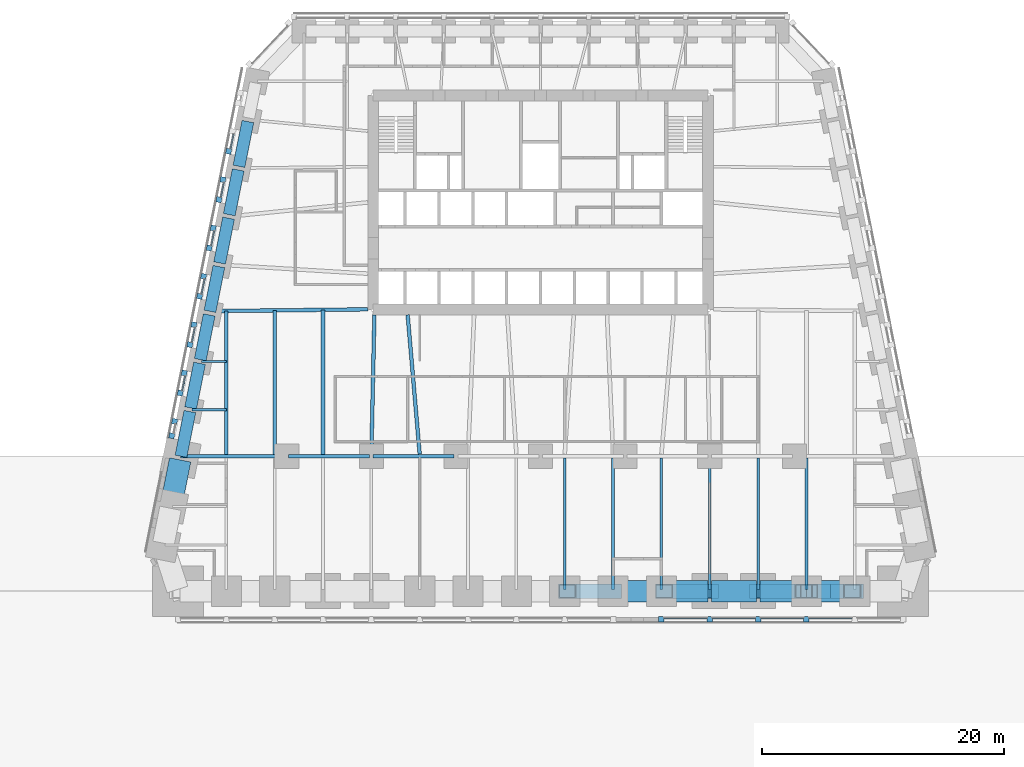
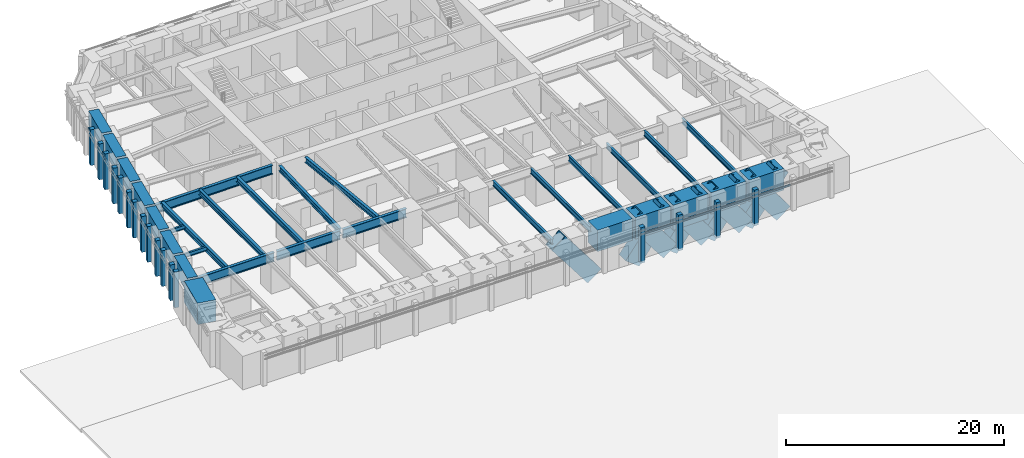
# One storey, part 2 of 18: 36 members, 30 beams, 8 elements without a shape of their own.
"""IFC4 building model written with IfcOpenShell, lengths in metres."""

from ifc_helpers import new_model, si_unit, direction, frame, origin, origin_2d, place, context, subcontext, project, spatial, rectangle, hollow_rectangle, i_section, extrude, material, material_profile, profile_set, type_object, element, aggregate, save


model = new_model("IFC4")

# Units and contexts
model_context = context("Model", 3, precision=1e-05, world=origin(), true_north=direction((0.0, 1.0)))
body_context = subcontext(model_context, "Body", "Model", "MODEL_VIEW")
ifc_project = project(units=[si_unit("LENGTHUNIT", "METRE"), si_unit("AREAUNIT", "SQUARE_METRE"), si_unit("VOLUMEUNIT", "CUBIC_METRE"), si_unit("PLANEANGLEUNIT", "RADIAN"), si_unit("MASSUNIT", "GRAM", prefix="KILO")], contexts=[model_context])

# Site, building, storey
site_placement = place(None, origin())
site = spatial("IfcSite", under=ifc_project, at=site_placement, CompositionType="ELEMENT")
building_placement = place(site_placement, origin())
building = spatial("IfcBuilding", under=site, at=building_placement, Name="Isbrekke Arena Tower", CompositionType="ELEMENT")
storey_placement = place(building_placement, frame((0.0, 0.0, 28.0)))
storey = spatial("IfcBuildingStorey", under=building, at=storey_placement, Name="L04", CompositionType="ELEMENT", Elevation=28.0)

# Beams
ifc_material_1 = material(Name="Steel S355", Category="steel")
ifc_material_profile_1 = material_profile(ifc_material_1, i_section(OverallWidth=0.219970703125, OverallDepth=0.60009765625, WebThickness=0.011962890625, FlangeThickness=0.01904296875, FilletRadius=0.02392578125, at=origin_2d()), Name="IPE 600")
ifc_profile_set_1 = profile_set([ifc_material_profile_1], Name="Steel S355")
beam_type_1 = type_object("IfcBeamType", Name="B1 IPE 600", PredefinedType="BEAM", material=ifc_profile_set_1)
for number, where, z_axis, x_axis, name in (
    (1, (2.0, -17.02490234375, 3.550048828125), (0.0, 1.0, 0.0), (-1.0, 0.0, 0.0), "B1 beam S-S09 L04"),
    (2, (6.0, -17.02490234375, 3.550048828125), (0.0, 1.0, 0.0), (-1.0, 0.0, 0.0), "B1 beam S-S10 L04"),
    (3, (10.0, -17.02490234375, 3.550048828125), (0.0, 1.0, 0.0), (-1.0, 0.0, 0.0), "B1 beam S-S11 L04"),
):
    element("IfcBeam", number, at=place(storey_placement, frame(where, z_axis=z_axis, x_axis=x_axis)), inside=storey, type_object=beam_type_1, Name=name, PredefinedType="BEAM", context=body_context, shape_type="SweptSolid", body=[
        extrude(i_section(OverallWidth=0.219970703125, OverallDepth=0.60009765625, WebThickness=0.011962890625, FlangeThickness=0.01904296875, FilletRadius=0.02392578125, at=origin_2d()), origin(), (0.0, 0.0, 1.0), 10.8740234375),
    ])
beam_1_placement = place(storey_placement, frame((14.0, -17.02490234375, 3.550048828125), z_axis=(0.0, 1.0, 0.0), x_axis=(-1.0, 0.0, 0.0)))
element("IfcBeam", 4, at=beam_1_placement, inside=storey, type_object=beam_type_1, Name="B1 beam S-S12 L04", PredefinedType="BEAM", context=body_context, shape_type="SweptSolid", body=[
    extrude(i_section(OverallWidth=0.219970703125, OverallDepth=0.60009765625, WebThickness=0.011962890625, FlangeThickness=0.01904296875, FilletRadius=0.02392578125, at=origin_2d()), origin(), (0.0, 0.0, 1.0), 10.875),
])
for number, where, z_axis, x_axis, name in (
    (5, (18.0, -17.02490234375, 3.550048828125), (0.0, 1.0, 0.0), (-1.0, 0.0, 0.0), "B1 beam S-S13 L04"),
    (6, (22.0, -17.02490234375, 3.550048828125), (0.0, 1.0, 0.0), (-1.0, 0.0, 0.0), "B1 beam S-S14 L04"),
):
    element("IfcBeam", number, at=place(storey_placement, frame(where, z_axis=z_axis, x_axis=x_axis)), inside=storey, type_object=beam_type_1, Name=name, PredefinedType="BEAM", context=body_context, shape_type="SweptSolid", body=[
        extrude(i_section(OverallWidth=0.219970703125, OverallDepth=0.60009765625, WebThickness=0.011962890625, FlangeThickness=0.01904296875, FilletRadius=0.02392578125, at=origin_2d()), origin(), (0.0, 0.0, 1.0), 10.8740234375),
    ])
ifc_material_2 = material(Name="Steel S355", Category="steel")
ifc_material_profile_2 = material_profile(ifc_material_2, i_section(OverallWidth=0.18994140625, OverallDepth=0.449951171875, WebThickness=0.009521484375, FlangeThickness=0.0146484375, FilletRadius=0.02099609375, at=origin_2d()), Name="IPE 450")
ifc_profile_set_2 = profile_set([ifc_material_profile_2], Name="Steel S355")
beam_type_2 = type_object("IfcBeamType", Name="B2 IPE 450", PredefinedType="BEAM", material=ifc_profile_set_2)
beam_2_placement = place(storey_placement, frame((-28.041015625, 1.838134765625, 3.625), z_axis=(1.0, 0.0, 0.0), x_axis=(0.0, 1.0, 0.0)))
element("IfcBeam", 7, at=beam_2_placement, inside=storey, type_object=beam_type_2, Name="B2 beam E-W07 L04", PredefinedType="BEAM", context=body_context, shape_type="SweptSolid", body=[
    extrude(i_section(OverallWidth=0.18994140625, OverallDepth=0.449951171875, WebThickness=0.009521484375, FlangeThickness=0.0146484375, FilletRadius=0.02099609375, at=origin_2d()), origin(), (0.0, 0.0, 1.0), 2.041015625),
])
beam_3_placement = place(storey_placement, frame((-28.841064453125, -2.161865234375, 3.625), z_axis=(1.0, 0.0, 0.0), x_axis=(0.0, 1.0, 0.0)))
element("IfcBeam", 8, at=beam_3_placement, inside=storey, type_object=beam_type_2, Name="B2 beam E-W08 L04", PredefinedType="BEAM", context=body_context, shape_type="SweptSolid", body=[
    extrude(i_section(OverallWidth=0.18994140625, OverallDepth=0.449951171875, WebThickness=0.009521484375, FlangeThickness=0.0146484375, FilletRadius=0.02099609375, at=origin_2d()), origin(), (0.0, 0.0, 1.0), 2.841064453125),
])
ifc_material_3 = material(Name="Steel S355", Category="steel")
ifc_material_profile_3 = material_profile(ifc_material_3, i_section(OverallWidth=0.300048828125, OverallDepth=0.60009765625, WebThickness=0.015380859375, FlangeThickness=0.030029296875, FilletRadius=0.027099609375, at=origin_2d()), Name="HEB 600")
ifc_profile_set_3 = profile_set([ifc_material_profile_3], Name="Steel S355")
beam_type_3 = type_object("IfcBeamType", Name="B7 HEB 600", PredefinedType="BEAM", material=ifc_profile_set_3)
beam_4_placement = place(storey_placement, frame((-26.0, -5.84912109375, 3.550048828125), z_axis=(0.0, 1.0, 0.0), x_axis=(-1.0, 0.0, 0.0)))
element("IfcBeam", 9, at=beam_4_placement, inside=storey, type_object=beam_type_3, Name="B7 beam C-M01 L04", PredefinedType="BEAM", context=body_context, shape_type="SweptSolid", body=[
    extrude(i_section(OverallWidth=0.300048828125, OverallDepth=0.60009765625, WebThickness=0.015380859375, FlangeThickness=0.030029296875, FilletRadius=0.027099609375, at=origin_2d()), origin(), (0.0, 0.0, 1.0), 11.864990234375),
])
beam_5_placement = place(storey_placement, frame((-22.0, -5.84912109375, 3.550048828125), z_axis=(0.0, 1.0, 0.0), x_axis=(-1.0, 0.0, 0.0)))
element("IfcBeam", 10, at=beam_5_placement, inside=storey, type_object=beam_type_3, Name="B7 beam C-M02 L04", PredefinedType="BEAM", context=body_context, shape_type="SweptSolid", body=[
    extrude(i_section(OverallWidth=0.300048828125, OverallDepth=0.60009765625, WebThickness=0.015380859375, FlangeThickness=0.030029296875, FilletRadius=0.027099609375, at=origin_2d()), origin(), (0.0, 0.0, 1.0), 11.910888671875),
])
beam_6_placement = place(storey_placement, frame((-18.0, -5.84912109375, 3.550048828125), z_axis=(0.0, 1.0, 0.0), x_axis=(-1.0, 0.0, 0.0)))
element("IfcBeam", 11, at=beam_6_placement, inside=storey, type_object=beam_type_3, Name="B7 beam C-M03 L04", PredefinedType="BEAM", context=body_context, shape_type="SweptSolid", body=[
    extrude(i_section(OverallWidth=0.300048828125, OverallDepth=0.60009765625, WebThickness=0.015380859375, FlangeThickness=0.030029296875, FilletRadius=0.027099609375, at=origin_2d()), origin(), (0.0, 0.0, 1.0), 11.956787109375),
])
beam_7_placement = place(storey_placement, frame((-14.0, -5.8466796875, 3.550048828125), z_axis=(0.021646264273, 0.999765692171, 0.0), x_axis=(-0.999765692171, 0.021646264273, 0.0)))
element("IfcBeam", 12, at=beam_7_placement, inside=storey, type_object=beam_type_3, Name="B7 beam C-M04 L04", PredefinedType="BEAM", context=body_context, shape_type="SweptSolid", body=[
    extrude(i_section(OverallWidth=0.300048828125, OverallDepth=0.60009765625, WebThickness=0.015380859375, FlangeThickness=0.030029296875, FilletRadius=0.027099609375, at=origin_2d()), origin(), (0.0, 0.0, 1.0), 11.54931640625),
])
beam_8_placement = place(storey_placement, frame((-10.001220703125, -5.836181640625, 3.550048828125), z_axis=(-0.086255671377, 0.996273034442, 0.0), x_axis=(-0.996273034442, -0.086255671377, 0.0)))
element("IfcBeam", 13, at=beam_8_placement, inside=storey, type_object=beam_type_3, Name="B7 beam C-M05 L04", PredefinedType="BEAM", context=body_context, shape_type="SweptSolid", body=[
    extrude(i_section(OverallWidth=0.300048828125, OverallDepth=0.60009765625, WebThickness=0.015380859375, FlangeThickness=0.030029296875, FilletRadius=0.027099609375, at=origin_2d()), origin(), (0.0, 0.0, 1.0), 11.579345703125),
])

# Curtain wall, members
ifc_material_4 = material(Name="Glazed aluminium curtain wall", Category="aluminium")
curtain_wall_type = type_object("IfcCurtainWallType", Name="CWL TOWER CURTAIN WALL LOW ZONE", PredefinedType="USERDEFINED", material=ifc_material_4)
curtain_wall_1_placement = place(storey_placement, origin())
curtain_wall_1 = element("IfcCurtainWall", 14, at=curtain_wall_1_placement, inside=storey, type_object=curtain_wall_type, Name="CWL curtain wall L04-S2", ObjectType="TOWER CURTAIN WALL LOW ZONE", PredefinedType="USERDEFINED")
ifc_material_5 = material(Name="Aluminium mullion, pale brick slip cladding", Category="masonry")
ifc_material_profile_4 = material_profile(ifc_material_5, rectangle(XDim=0.449951171875, YDim=0.449951171875, at=origin_2d()), Name="PIER 450X450")
ifc_profile_set_4 = profile_set([ifc_material_profile_4], Name="Aluminium mullion, pale brick slip cladding")
member_type_1 = type_object("IfcMemberType", Name="CWL-M PIER MULLION 450 x 450", PredefinedType="MULLION", material=ifc_profile_set_4)
member_1_placement = place(storey_placement, frame((10.0, -19.5, 0.0), z_axis=(0.0, 0.0, 1.0), x_axis=(1.0, 0.0, 0.0)))
member_1 = element("IfcMember", 15, at=member_1_placement, type_object=member_type_1, Name="CWL-M mullion 1", PredefinedType="MULLION", context=body_context, shape_type="SweptSolid", body=[
    extrude(rectangle(XDim=0.449951171875, YDim=0.449951171875, at=origin_2d()), origin(), (0.0, 0.0, 1.0), 4.0),
])
member_2_placement = place(storey_placement, frame((14.0, -19.5, 0.0), z_axis=(0.0, 0.0, 1.0), x_axis=(1.0, 0.0, 0.0)))
member_2 = element("IfcMember", 16, at=member_2_placement, type_object=member_type_1, Name="CWL-M mullion 2", PredefinedType="MULLION", context=body_context, shape_type="SweptSolid", body=[
    extrude(rectangle(XDim=0.449951171875, YDim=0.449951171875, at=origin_2d()), origin(), (0.0, 0.0, 1.0), 4.0),
])
member_3_placement = place(storey_placement, frame((18.0, -19.5, 0.0), z_axis=(0.0, 0.0, 1.0), x_axis=(1.0, 0.0, 0.0)))
member_3 = element("IfcMember", 17, at=member_3_placement, type_object=member_type_1, Name="CWL-M mullion 3", PredefinedType="MULLION", context=body_context, shape_type="SweptSolid", body=[
    extrude(rectangle(XDim=0.449951171875, YDim=0.449951171875, at=origin_2d()), origin(), (0.0, 0.0, 1.0), 4.0),
])
member_4_placement = place(storey_placement, frame((22.0, -19.5, 0.0), z_axis=(0.0, 0.0, 1.0), x_axis=(1.0, 0.0, 0.0)))
member_4 = element("IfcMember", 18, at=member_4_placement, type_object=member_type_1, Name="CWL-M mullion 4", PredefinedType="MULLION", context=body_context, shape_type="SweptSolid", body=[
    extrude(rectangle(XDim=0.449951171875, YDim=0.449951171875, at=origin_2d()), origin(), (0.0, 0.0, 1.0), 4.0),
])

# Curtain wall, member
curtain_wall_2_placement = place(storey_placement, origin())
curtain_wall_2 = element("IfcCurtainWall", 19, at=curtain_wall_2_placement, inside=storey, type_object=curtain_wall_type, Name="CWL curtain wall L04-W3", ObjectType="TOWER CURTAIN WALL LOW ZONE", PredefinedType="USERDEFINED")
member_5_placement = place(storey_placement, frame((-25.809814453125, 19.225830078125, 0.0), z_axis=(0.0, 0.0, 1.0), x_axis=(-0.196116135138, -0.980580675691, 0.0)))
member_5 = element("IfcMember", 20, at=member_5_placement, type_object=member_type_1, Name="CWL-M mullion 2", PredefinedType="MULLION", context=body_context, shape_type="SweptSolid", body=[
    extrude(rectangle(XDim=0.449951171875, YDim=0.449951171875, at=origin_2d()), origin(), (0.0, 0.0, 1.0), 4.0),
])

# Curtain wall, members
curtain_wall_3_placement = place(storey_placement, origin())
curtain_wall_3 = element("IfcCurtainWall", 21, at=curtain_wall_3_placement, inside=storey, type_object=curtain_wall_type, Name="CWL curtain wall L04-W5", ObjectType="TOWER CURTAIN WALL LOW ZONE", PredefinedType="USERDEFINED")
member_6_placement = place(storey_placement, frame((-26.280517578125, 16.872314453125, 0.0), z_axis=(0.0, 0.0, 1.0), x_axis=(-0.196116135138, -0.980580675691, 0.0)))
member_6 = element("IfcMember", 22, at=member_6_placement, type_object=member_type_1, Name="CWL-M mullion 1", PredefinedType="MULLION", context=body_context, shape_type="SweptSolid", body=[
    extrude(rectangle(XDim=0.449951171875, YDim=0.449951171875, at=origin_2d()), origin(), (0.0, 0.0, 1.0), 4.0),
])
member_7_placement = place(storey_placement, frame((-26.60986328125, 15.225830078125, 0.0), z_axis=(0.0, 0.0, 1.0), x_axis=(-0.196116135138, -0.980580675691, 0.0)))
member_7 = element("IfcMember", 23, at=member_7_placement, type_object=member_type_1, Name="CWL-M mullion 2", PredefinedType="MULLION", context=body_context, shape_type="SweptSolid", body=[
    extrude(rectangle(XDim=0.449951171875, YDim=0.449951171875, at=origin_2d()), origin(), (0.0, 0.0, 1.0), 4.0),
])

curtain_wall_4_placement = place(storey_placement, origin())
curtain_wall_4 = element("IfcCurtainWall", 24, at=curtain_wall_4_placement, inside=storey, type_object=curtain_wall_type, Name="CWL curtain wall L04-W7", ObjectType="TOWER CURTAIN WALL LOW ZONE", PredefinedType="USERDEFINED")
member_8_placement = place(storey_placement, frame((-27.08056640625, 12.872314453125, 0.0), z_axis=(0.0, 0.0, 1.0), x_axis=(-0.196116135138, -0.980580675691, 0.0)))
member_8 = element("IfcMember", 25, at=member_8_placement, type_object=member_type_1, Name="CWL-M mullion 1", PredefinedType="MULLION", context=body_context, shape_type="SweptSolid", body=[
    extrude(rectangle(XDim=0.449951171875, YDim=0.449951171875, at=origin_2d()), origin(), (0.0, 0.0, 1.0), 4.0),
])
member_9_placement = place(storey_placement, frame((-27.409912109375, 11.225830078125, 0.0), z_axis=(0.0, 0.0, 1.0), x_axis=(-0.196116135138, -0.980580675691, 0.0)))
member_9 = element("IfcMember", 26, at=member_9_placement, type_object=member_type_1, Name="CWL-M mullion 2", PredefinedType="MULLION", context=body_context, shape_type="SweptSolid", body=[
    extrude(rectangle(XDim=0.449951171875, YDim=0.449951171875, at=origin_2d()), origin(), (0.0, 0.0, 1.0), 4.0),
])

curtain_wall_5_placement = place(storey_placement, origin())
curtain_wall_5 = element("IfcCurtainWall", 27, at=curtain_wall_5_placement, inside=storey, type_object=curtain_wall_type, Name="CWL curtain wall L04-W9", ObjectType="TOWER CURTAIN WALL LOW ZONE", PredefinedType="USERDEFINED")
member_10_placement = place(storey_placement, frame((-27.88037109375, 8.872314453125, 0.0), z_axis=(0.0, 0.0, 1.0), x_axis=(-0.196116135138, -0.980580675691, 0.0)))
member_10 = element("IfcMember", 28, at=member_10_placement, type_object=member_type_1, Name="CWL-M mullion 1", PredefinedType="MULLION", context=body_context, shape_type="SweptSolid", body=[
    extrude(rectangle(XDim=0.449951171875, YDim=0.449951171875, at=origin_2d()), origin(), (0.0, 0.0, 1.0), 4.0),
])
member_11_placement = place(storey_placement, frame((-28.209716796875, 7.225830078125, 0.0), z_axis=(0.0, 0.0, 1.0), x_axis=(-0.196116135138, -0.980580675691, 0.0)))
member_11 = element("IfcMember", 29, at=member_11_placement, type_object=member_type_1, Name="CWL-M mullion 2", PredefinedType="MULLION", context=body_context, shape_type="SweptSolid", body=[
    extrude(rectangle(XDim=0.449951171875, YDim=0.449951171875, at=origin_2d()), origin(), (0.0, 0.0, 1.0), 4.0),
])

curtain_wall_6_placement = place(storey_placement, origin())
curtain_wall_6 = element("IfcCurtainWall", 30, at=curtain_wall_6_placement, inside=storey, type_object=curtain_wall_type, Name="CWL curtain wall L04-W11", ObjectType="TOWER CURTAIN WALL LOW ZONE", PredefinedType="USERDEFINED")
member_12_placement = place(storey_placement, frame((-28.680419921875, 4.872314453125, 0.0), z_axis=(0.0, 0.0, 1.0), x_axis=(-0.196116135138, -0.980580675691, 0.0)))
member_12 = element("IfcMember", 31, at=member_12_placement, type_object=member_type_1, Name="CWL-M mullion 1", PredefinedType="MULLION", context=body_context, shape_type="SweptSolid", body=[
    extrude(rectangle(XDim=0.449951171875, YDim=0.449951171875, at=origin_2d()), origin(), (0.0, 0.0, 1.0), 4.0),
])
member_13_placement = place(storey_placement, frame((-29.009765625, 3.225830078125, 0.0), z_axis=(0.0, 0.0, 1.0), x_axis=(-0.196116135138, -0.980580675691, 0.0)))
member_13 = element("IfcMember", 32, at=member_13_placement, type_object=member_type_1, Name="CWL-M mullion 2", PredefinedType="MULLION", context=body_context, shape_type="SweptSolid", body=[
    extrude(rectangle(XDim=0.449951171875, YDim=0.449951171875, at=origin_2d()), origin(), (0.0, 0.0, 1.0), 4.0),
])

curtain_wall_7_placement = place(storey_placement, origin())
curtain_wall_7 = element("IfcCurtainWall", 33, at=curtain_wall_7_placement, inside=storey, type_object=curtain_wall_type, Name="CWL curtain wall L04-W13", ObjectType="TOWER CURTAIN WALL LOW ZONE", PredefinedType="USERDEFINED")
member_14_placement = place(storey_placement, frame((-29.48046875, 0.872314453125, 0.0), z_axis=(0.0, 0.0, 1.0), x_axis=(-0.196116135138, -0.980580675691, 0.0)))
member_14 = element("IfcMember", 34, at=member_14_placement, type_object=member_type_1, Name="CWL-M mullion 1", PredefinedType="MULLION", context=body_context, shape_type="SweptSolid", body=[
    extrude(rectangle(XDim=0.449951171875, YDim=0.449951171875, at=origin_2d()), origin(), (0.0, 0.0, 1.0), 4.0),
])
member_15_placement = place(storey_placement, frame((-29.809814453125, -0.774169921875, 0.0), z_axis=(0.0, 0.0, 1.0), x_axis=(-0.196116135138, -0.980580675691, 0.0)))
member_15 = element("IfcMember", 35, at=member_15_placement, type_object=member_type_1, Name="CWL-M mullion 2", PredefinedType="MULLION", context=body_context, shape_type="SweptSolid", body=[
    extrude(rectangle(XDim=0.449951171875, YDim=0.449951171875, at=origin_2d()), origin(), (0.0, 0.0, 1.0), 4.0),
])

curtain_wall_8_placement = place(storey_placement, origin())
curtain_wall_8 = element("IfcCurtainWall", 36, at=curtain_wall_8_placement, inside=storey, type_object=curtain_wall_type, Name="CWL curtain wall L04-W15", ObjectType="TOWER CURTAIN WALL LOW ZONE", PredefinedType="USERDEFINED")
member_16_placement = place(storey_placement, frame((-30.280517578125, -3.127685546875, 0.0), z_axis=(0.0, 0.0, 1.0), x_axis=(-0.196116135138, -0.980580675691, 0.0)))
member_16 = element("IfcMember", 37, at=member_16_placement, type_object=member_type_1, Name="CWL-M mullion 1", PredefinedType="MULLION", context=body_context, shape_type="SweptSolid", body=[
    extrude(rectangle(XDim=0.449951171875, YDim=0.449951171875, at=origin_2d()), origin(), (0.0, 0.0, 1.0), 4.0),
])
member_17_placement = place(storey_placement, frame((-30.51708984375, -4.310546875, 0.0), z_axis=(0.0, 0.0, 1.0), x_axis=(-0.196116135138, -0.980580675691, 0.0)))
member_17 = element("IfcMember", 38, at=member_17_placement, type_object=member_type_1, Name="CWL-M mullion 2", PredefinedType="MULLION", context=body_context, shape_type="SweptSolid", body=[
    extrude(rectangle(XDim=0.449951171875, YDim=0.449951171875, at=origin_2d()), origin(), (0.0, 0.0, 1.0), 4.0),
])
aggregate(curtain_wall_8, [member_16, member_17])

# Member
ifc_material_6 = material(Name="Aluminium transom", Category="aluminium")
ifc_material_profile_5 = material_profile(ifc_material_6, rectangle(XDim=0.1201171875, YDim=0.199951171875, at=origin_2d()), Name="TRANSOM 120X200")
ifc_profile_set_5 = profile_set([ifc_material_profile_5], Name="Aluminium transom")
member_type_2 = type_object("IfcMemberType", Name="CWL-T TRANSOM 120 x 200", PredefinedType="USERDEFINED", material=ifc_profile_set_5)
member_18_placement = place(storey_placement, frame((10.22509765625, -19.375, 3.0), z_axis=(1.0, 0.0, 0.0), x_axis=(0.0, 1.0, 0.0)))
member_18 = element("IfcMember", 39, at=member_18_placement, type_object=member_type_2, Name="CWL-T transom 1", ObjectType="TRANSOM", PredefinedType="USERDEFINED", context=body_context, shape_type="SweptSolid", body=[
    extrude(rectangle(XDim=0.1201171875, YDim=0.199951171875, at=origin_2d()), origin(), (0.0, 0.0, 1.0), 3.5498046875),
])

member_19_placement = place(storey_placement, frame((14.22509765625, -19.375, 3.0), z_axis=(1.0, 0.0, 0.0), x_axis=(0.0, 1.0, 0.0)))
member_19 = element("IfcMember", 40, at=member_19_placement, type_object=member_type_2, Name="CWL-T transom 2", ObjectType="TRANSOM", PredefinedType="USERDEFINED", context=body_context, shape_type="SweptSolid", body=[
    extrude(rectangle(XDim=0.1201171875, YDim=0.199951171875, at=origin_2d()), origin(), (0.0, 0.0, 1.0), 3.5498046875),
])

member_20_placement = place(storey_placement, frame((18.22509765625, -19.375, 3.0), z_axis=(1.0, 0.0, 0.0), x_axis=(0.0, 1.0, 0.0)))
member_20 = element("IfcMember", 41, at=member_20_placement, type_object=member_type_2, Name="CWL-T transom 3", ObjectType="TRANSOM", PredefinedType="USERDEFINED", context=body_context, shape_type="SweptSolid", body=[
    extrude(rectangle(XDim=0.1201171875, YDim=0.199951171875, at=origin_2d()), origin(), (0.0, 0.0, 1.0), 3.5498046875),
])

member_21_placement = place(storey_placement, frame((22.22509765625, -19.375, 3.0), z_axis=(1.0, 0.0, 0.0), x_axis=(0.0, 1.0, 0.0)))
member_21 = element("IfcMember", 42, at=member_21_placement, type_object=member_type_2, Name="CWL-T transom 4", ObjectType="TRANSOM", PredefinedType="USERDEFINED", context=body_context, shape_type="SweptSolid", body=[
    extrude(rectangle(XDim=0.1201171875, YDim=0.199951171875, at=origin_2d()), origin(), (0.0, 0.0, 1.0), 3.5498046875),
])

aggregate(curtain_wall_1, [member_1, member_2, member_3, member_4, member_18, member_19, member_20, member_21])

member_22_placement = place(storey_placement, frame((-25.402099609375, 20.627197265625, 3.0), z_axis=(-0.196039741533, -0.980595951317, 0.0), x_axis=(0.980595951317, -0.196039741533, 0.0)))
member_22 = element("IfcMember", 43, at=member_22_placement, type_object=member_type_2, Name="CWL-T transom 1", ObjectType="TRANSOM", PredefinedType="USERDEFINED", context=body_context, shape_type="SweptSolid", body=[
    extrude(rectangle(XDim=0.1201171875, YDim=0.199951171875, at=origin_2d()), origin(), (0.0, 0.0, 1.0), 1.229248046875),
])

aggregate(curtain_wall_2, [member_5, member_22])

member_23_placement = place(storey_placement, frame((-26.2021484375, 16.627197265625, 3.0), z_axis=(-0.196039741533, -0.980595951317, 0.0), x_axis=(0.980595951317, -0.196039741533, 0.0)))
member_23 = element("IfcMember", 44, at=member_23_placement, type_object=member_type_2, Name="CWL-T transom 1", ObjectType="TRANSOM", PredefinedType="USERDEFINED", context=body_context, shape_type="SweptSolid", body=[
    extrude(rectangle(XDim=0.1201171875, YDim=0.199951171875, at=origin_2d()), origin(), (0.0, 0.0, 1.0), 1.229248046875),
])

aggregate(curtain_wall_3, [member_6, member_7, member_23])

member_24_placement = place(storey_placement, frame((-27.001953125, 12.627197265625, 3.0), z_axis=(-0.19623071885, -0.980557751986, 0.0), x_axis=(0.980557751986, -0.19623071885, 0.0)))
member_24 = element("IfcMember", 45, at=member_24_placement, type_object=member_type_2, Name="CWL-T transom 1", ObjectType="TRANSOM", PredefinedType="USERDEFINED", context=body_context, shape_type="SweptSolid", body=[
    extrude(rectangle(XDim=0.1201171875, YDim=0.199951171875, at=origin_2d()), origin(), (0.0, 0.0, 1.0), 1.229248046875),
])

aggregate(curtain_wall_4, [member_8, member_9, member_24])

member_25_placement = place(storey_placement, frame((-27.802001953125, 8.627197265625, 3.0), z_axis=(-0.19623071885, -0.980557751986, 0.0), x_axis=(0.980557751986, -0.19623071885, 0.0)))
member_25 = element("IfcMember", 46, at=member_25_placement, type_object=member_type_2, Name="CWL-T transom 1", ObjectType="TRANSOM", PredefinedType="USERDEFINED", context=body_context, shape_type="SweptSolid", body=[
    extrude(rectangle(XDim=0.1201171875, YDim=0.199951171875, at=origin_2d()), origin(), (0.0, 0.0, 1.0), 1.229248046875),
])

aggregate(curtain_wall_5, [member_10, member_11, member_25])

member_26_placement = place(storey_placement, frame((-28.60205078125, 4.627197265625, 3.0), z_axis=(-0.196039741533, -0.980595951317, 0.0), x_axis=(0.980595951317, -0.196039741533, 0.0)))
member_26 = element("IfcMember", 47, at=member_26_placement, type_object=member_type_2, Name="CWL-T transom 1", ObjectType="TRANSOM", PredefinedType="USERDEFINED", context=body_context, shape_type="SweptSolid", body=[
    extrude(rectangle(XDim=0.1201171875, YDim=0.199951171875, at=origin_2d()), origin(), (0.0, 0.0, 1.0), 1.229248046875),
])

aggregate(curtain_wall_6, [member_12, member_13, member_26])

member_27_placement = place(storey_placement, frame((-29.402099609375, 0.627197265625, 3.0), z_axis=(-0.196039741533, -0.980595951317, 0.0), x_axis=(0.980595951317, -0.196039741533, 0.0)))
member_27 = element("IfcMember", 48, at=member_27_placement, type_object=member_type_2, Name="CWL-T transom 1", ObjectType="TRANSOM", PredefinedType="USERDEFINED", context=body_context, shape_type="SweptSolid", body=[
    extrude(rectangle(XDim=0.1201171875, YDim=0.199951171875, at=origin_2d()), origin(), (0.0, 0.0, 1.0), 1.229248046875),
])

aggregate(curtain_wall_7, [member_14, member_15, member_27])

# Beams
ifc_material_7 = material(Name="Steel S355", Category="steel")
ifc_material_profile_6 = material_profile(ifc_material_7, i_section(OverallWidth=0.302001953125, OverallDepth=1.008056640625, WebThickness=0.02099609375, FlangeThickness=0.0400390625, FilletRadius=0.030029296875, at=origin_2d()), Name="HEM 1000")
ifc_profile_set_6 = profile_set([ifc_material_profile_6], Name="Steel S355")
beam_type_4 = type_object("IfcBeamType", Name="G1 HEM 1000", PredefinedType="BEAM", material=ifc_profile_set_6)
beam_9_placement = place(storey_placement, frame((-29.791015625, -6.0, 3.345947265625), z_axis=(1.0, 0.0, 0.0), x_axis=(0.0, 1.0, 0.0)))
element("IfcBeam", 49, at=beam_9_placement, inside=storey, type_object=beam_type_4, Name="G1 beam G1-01 L04", PredefinedType="BEAM", context=body_context, shape_type="SweptSolid", body=[
    extrude(i_section(OverallWidth=0.302001953125, OverallDepth=1.008056640625, WebThickness=0.02099609375, FlangeThickness=0.0400390625, FilletRadius=0.030029296875, at=origin_2d()), origin(), (0.0, 0.0, 1.0), 8.64111328125),
])
for number, where, z_axis, x_axis, name in (
    (50, (-20.85009765625, -6.0, 3.345947265625), (1.0, 0.0, 0.0), (0.0, 1.0, 0.0), "G1 beam G1-02 L04"),
    (51, (-13.85009765625, -6.0, 3.345947265625), (1.0, 0.0, 0.0), (0.0, 1.0, 0.0), "G1 beam G1-03 L04"),
):
    element("IfcBeam", number, at=place(storey_placement, frame(where, z_axis=z_axis, x_axis=x_axis)), inside=storey, type_object=beam_type_4, Name=name, PredefinedType="BEAM", context=body_context, shape_type="SweptSolid", body=[
        extrude(i_section(OverallWidth=0.302001953125, OverallDepth=1.008056640625, WebThickness=0.02099609375, FlangeThickness=0.0400390625, FilletRadius=0.030029296875, at=origin_2d()), origin(), (0.0, 0.0, 1.0), 6.7001953125),
    ])
ifc_material_8 = material(Name="Steel S355", Category="steel")
ifc_material_profile_7 = material_profile(ifc_material_8, i_section(OverallWidth=0.302001953125, OverallDepth=1.008056640625, WebThickness=0.02099609375, FlangeThickness=0.0400390625, FilletRadius=0.030029296875, at=origin_2d()), Name="HEM 1000")
ifc_profile_set_7 = profile_set([ifc_material_profile_7], Name="Steel S355")
beam_type_5 = type_object("IfcBeamType", Name="G2 HEM 1000", PredefinedType="BEAM", material=ifc_profile_set_7)
beam_10_placement = place(storey_placement, frame((-14.300048828125, 6.14990234375, 3.345947265625), z_axis=(-0.999934429634, -0.011451481699, 0.0), x_axis=(0.011451481699, -0.999934429634, 0.0)))
element("IfcBeam", 52, at=beam_10_placement, inside=storey, type_object=beam_type_5, Name="G2 beam G2-W L04", PredefinedType="BEAM", context=body_context, shape_type="SweptSolid", body=[
    extrude(i_section(OverallWidth=0.302001953125, OverallDepth=1.008056640625, WebThickness=0.02099609375, FlangeThickness=0.0400390625, FilletRadius=0.030029296875, at=origin_2d()), origin(), (0.0, 0.0, 1.0), 13.09033203125),
])
ifc_material_9 = material(Name="Concrete B90 (C90/105)", Category="concrete")
ifc_material_profile_8 = material_profile(ifc_material_9, rectangle(XDim=1.0, YDim=1.60009765625, at=origin_2d()), Name="RC 1000x1600")
ifc_profile_set_8 = profile_set([ifc_material_profile_8], Name="Concrete B90 (C90/105)")
beam_type_6 = type_object("IfcBeamType", Name="SB1 RC 1000 x 1600", PredefinedType="SPANDREL", material=ifc_profile_set_8)
for number, where, z_axis, x_axis, name in (
    (53, (-24.220458984375, 21.691162109375, 3.199951171875), (-0.196128558387, -0.980578190959, 0.0), (0.980578190959, -0.196128558387, 0.0), "SB1 spandrel W02-W03 L04"),
    (54, (-25.0205078125, 17.691162109375, 3.199951171875), (-0.196128558387, -0.980578190959, 0.0), (0.980578190959, -0.196128558387, 0.0), "SB1 spandrel W03-W04 L04"),
):
    element("IfcBeam", number, at=place(storey_placement, frame(where, z_axis=z_axis, x_axis=x_axis)), inside=storey, type_object=beam_type_6, Name=name, PredefinedType="SPANDREL", context=body_context, shape_type="SweptSolid", body=[
        extrude(rectangle(XDim=1.0, YDim=1.60009765625, at=origin_2d()), origin(), (0.0, 0.0, 1.0), 3.779296875),
    ])
beam_11_placement = place(storey_placement, frame((-25.820556640625, 13.691162109375, 3.199951171875), z_axis=(-0.1960664412, -0.980590613169, 0.0), x_axis=(0.980590613169, -0.1960664412, 0.0)))
element("IfcBeam", 55, at=beam_11_placement, inside=storey, type_object=beam_type_6, Name="SB1 spandrel W04-W05 L04", PredefinedType="SPANDREL", context=body_context, shape_type="SweptSolid", body=[
    extrude(rectangle(XDim=1.0, YDim=1.60009765625, at=origin_2d()), origin(), (0.0, 0.0, 1.0), 3.779052734375),
])
for number, where, z_axis, x_axis, name in (
    (56, (-26.620361328125, 9.691162109375, 3.199951171875), (-0.196128558387, -0.980578190959, 0.0), (0.980578190959, -0.196128558387, 0.0), "SB1 spandrel W05-W06 L04"),
    (57, (-27.42041015625, 5.691162109375, 3.199951171875), (-0.196128558387, -0.980578190959, 0.0), (0.980578190959, -0.196128558387, 0.0), "SB1 spandrel W06-W07 L04"),
    (58, (-28.220458984375, 1.691162109375, 3.199951171875), (-0.196128558387, -0.980578190959, 0.0), (0.980578190959, -0.196128558387, 0.0), "SB1 spandrel W07-W08 L04"),
    (59, (-29.0205078125, -2.308837890625, 3.199951171875), (-0.196128558387, -0.980578190959, 0.0), (0.980578190959, -0.196128558387, 0.0), "SB1 spandrel W08-W09 L04"),
):
    element("IfcBeam", number, at=place(storey_placement, frame(where, z_axis=z_axis, x_axis=x_axis)), inside=storey, type_object=beam_type_6, Name=name, PredefinedType="SPANDREL", context=body_context, shape_type="SweptSolid", body=[
        extrude(rectangle(XDim=1.0, YDim=1.60009765625, at=origin_2d()), origin(), (0.0, 0.0, 1.0), 3.779296875),
    ])
ifc_material_10 = material(Name="Concrete B90 (C90/105)", Category="concrete")
ifc_material_profile_9 = material_profile(ifc_material_10, rectangle(XDim=1.800048828125, YDim=2.800048828125, at=origin_2d()), Name="RC 1800x2800")
ifc_profile_set_9 = profile_set([ifc_material_profile_9], Name="Concrete B90 (C90/105)")
beam_type_7 = type_object("IfcBeamType", Name="SB7 RC 1800 x 2800", PredefinedType="SPANDREL", material=ifc_profile_set_9)
beam_12_placement = place(storey_placement, frame((14.14990234375, -17.175048828125, 2.60009765625), z_axis=(1.0, 0.0, 0.0), x_axis=(0.0, 1.0, 0.0)))
element("IfcBeam", 60, at=beam_12_placement, inside=storey, type_object=beam_type_7, Name="SB7 spandrel S12-S13 L04", PredefinedType="SPANDREL", context=body_context, shape_type="SweptSolid", body=[
    extrude(rectangle(XDim=1.800048828125, YDim=2.800048828125, at=origin_2d()), origin(), (0.0, 0.0, 1.0), 3.7001953125),
])
ifc_material_11 = material(Name="Concrete B90 (C90/105)", Category="concrete")
ifc_material_profile_10 = material_profile(ifc_material_11, rectangle(XDim=1.800048828125, YDim=2.39990234375, at=origin_2d()), Name="RC 1800x2400")
ifc_profile_set_10 = profile_set([ifc_material_profile_10], Name="Concrete B90 (C90/105)")
beam_type_8 = type_object("IfcBeamType", Name="SB8 RC 1800 x 2400", PredefinedType="SPANDREL", material=ifc_profile_set_10)
for number, where, z_axis, x_axis, name in (
    (61, (6.14990234375, -17.175048828125, 2.800048828125), (1.0, 0.0, 0.0), (0.0, 1.0, 0.0), "SB8 spandrel S10-S11 L04"),
    (62, (10.14990234375, -17.175048828125, 2.800048828125), (1.0, 0.0, 0.0), (0.0, 1.0, 0.0), "SB8 spandrel S11-S12 L04"),
    (63, (18.14990234375, -17.175048828125, 2.800048828125), (1.0, 0.0, 0.0), (0.0, 1.0, 0.0), "SB8 spandrel S13-S14 L04"),
    (64, (22.14990234375, -17.175048828125, 2.800048828125), (1.0, 0.0, 0.0), (0.0, 1.0, 0.0), "SB8 spandrel S14-S15 L04"),
):
    element("IfcBeam", number, at=place(storey_placement, frame(where, z_axis=z_axis, x_axis=x_axis)), inside=storey, type_object=beam_type_8, Name=name, PredefinedType="SPANDREL", context=body_context, shape_type="SweptSolid", body=[
        extrude(rectangle(XDim=1.800048828125, YDim=2.39990234375, at=origin_2d()), origin(), (0.0, 0.0, 1.0), 3.7001953125),
    ])
beam_13_placement = place(storey_placement, frame((-29.820556640625, -6.308837890625, 2.800048828125), z_axis=(-0.1960664412, -0.980590613169, 0.0), x_axis=(0.980590613169, -0.1960664412, 0.0)))
element("IfcBeam", 65, at=beam_13_placement, inside=storey, type_object=beam_type_8, Name="SB8 spandrel W09-W10 L04", PredefinedType="SPANDREL", context=body_context, shape_type="SweptSolid", body=[
    extrude(rectangle(XDim=1.800048828125, YDim=2.39990234375, at=origin_2d()), origin(), (0.0, 0.0, 1.0), 3.779052734375),
])

# Members
ifc_material_12 = material(Name="Steel S460", Category="steel")
ifc_material_profile_11 = material_profile(ifc_material_12, hollow_rectangle(XDim=1.199951171875, YDim=1.800048828125, WallThickness=0.090087890625, at=origin_2d()), Name="BOX 1200x1800x90")
ifc_profile_set_11 = profile_set([ifc_material_profile_11], Name="Steel S460")
member_type_3 = type_object("IfcMemberType", Name="TB1 BOX 1200x1800x90", PredefinedType="BRACE", material=ifc_profile_set_11)
for number, where, z_axis, x_axis, name in (
    (66, (2.210693359375, -17.175048828125, 3.7236328125), (0.6060302746, 0.0, -0.795441579419), (0.0, 1.0, 0.0), "TB1 transfer brace S09-S10 L04 B"),
    (67, (10.0, -17.175048828125, -1.25), (0.6060302746, 0.0, 0.795441579419), (0.0, 1.0, 0.0), "TB1 transfer brace S11-S12 L04 A"),
    (68, (10.210693359375, -17.175048828125, 3.7236328125), (0.6060302746, 0.0, -0.795441579419), (0.0, 1.0, 0.0), "TB1 transfer brace S11-S12 L04 B"),
    (69, (14.0, -17.175048828125, -1.25), (0.6060302746, 0.0, 0.795441579419), (0.0, 1.0, 0.0), "TB1 transfer brace S12-S13 L04 A"),
    (70, (14.210693359375, -17.175048828125, 3.7236328125), (0.6060302746, 0.0, -0.795441579419), (0.0, 1.0, 0.0), "TB1 transfer brace S12-S13 L04 B"),
    (71, (18.0, -17.175048828125, -1.25), (0.6060302746, 0.0, 0.795441579419), (0.0, 1.0, 0.0), "TB1 transfer brace S13-S14 L04 A"),
    (72, (18.210693359375, -17.175048828125, 3.7236328125), (0.6060302746, 0.0, -0.795441579419), (0.0, 1.0, 0.0), "TB1 transfer brace S13-S14 L04 B"),
    (73, (22.0, -17.175048828125, -1.25), (0.6060302746, 0.0, 0.795441579419), (0.0, 1.0, 0.0), "TB1 transfer brace S14-S15 L04 A"),
    (74, (22.210693359375, -17.175048828125, 3.7236328125), (0.6060302746, 0.0, -0.795441579419), (0.0, 1.0, 0.0), "TB1 transfer brace S14-S15 L04 B"),
):
    element("IfcMember", number, at=place(storey_placement, frame(where, z_axis=z_axis, x_axis=x_axis)), inside=storey, type_object=member_type_3, Name=name, PredefinedType="BRACE", context=body_context, shape_type="SweptSolid", body=[
        extrude(hollow_rectangle(XDim=1.199951171875, YDim=1.800048828125, WallThickness=0.090087890625, at=origin_2d()), origin(), (0.0, 0.0, 1.0), 6.252685546875),
    ])

save(model, "model.ifc")
